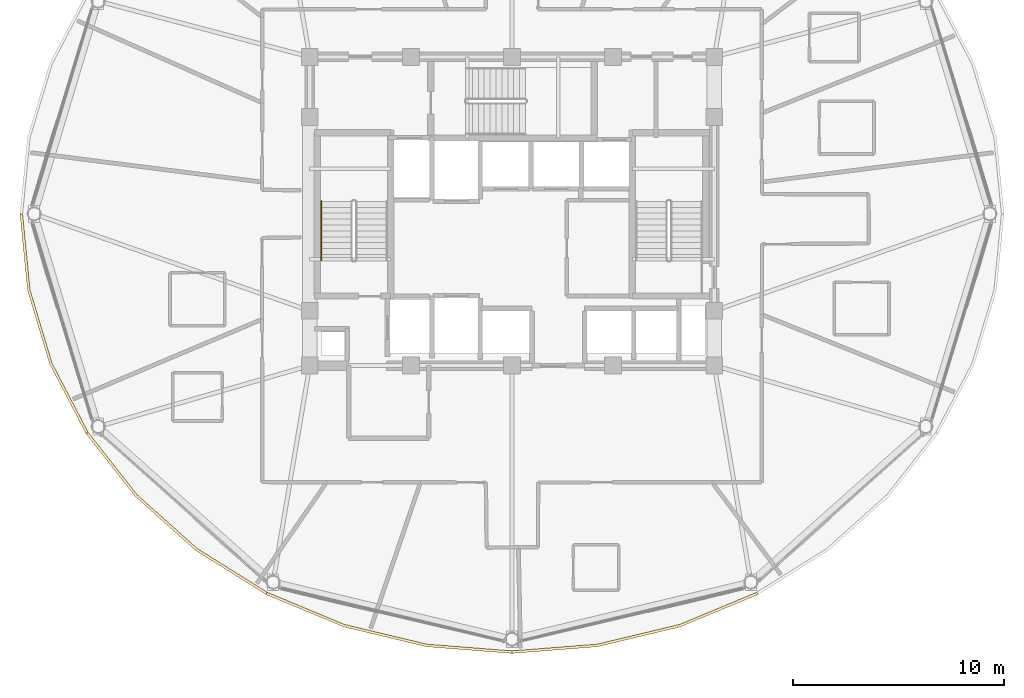
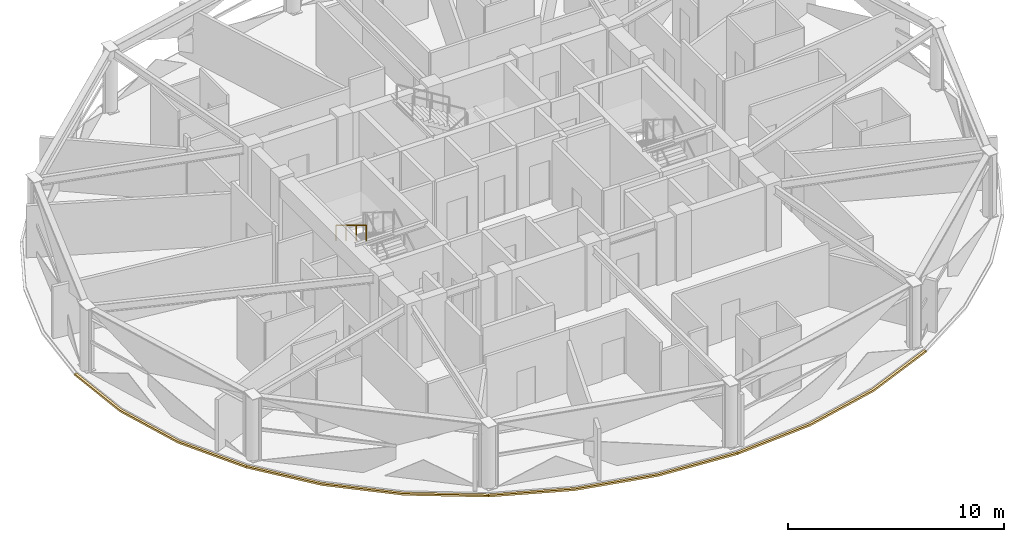
# One storey, part 27 of 30: 4 coverings, 1 railing.
"""IFC4 building model written with IfcOpenShell, lengths in metres."""

from ifc_helpers import new_model, si_unit, direction, frame, origin, origin_2d, place, context, subcontext, project, spatial, polyline, rectangle, outline, extrude, material, layer, layer_set, type_object, element, save


model = new_model("IFC4")

# Units and contexts
model_context = context("Model", 3, precision=1e-05, world=origin(), true_north=direction((0.0, 1.0)))
body_context = subcontext(model_context, "Body", "Model", "MODEL_VIEW")
ifc_project = project(units=[si_unit("LENGTHUNIT", "METRE"), si_unit("AREAUNIT", "SQUARE_METRE"), si_unit("VOLUMEUNIT", "CUBIC_METRE"), si_unit("PLANEANGLEUNIT", "RADIAN"), si_unit("MASSUNIT", "GRAM", prefix="KILO")], contexts=[model_context])

# Site, building, storey
site_placement = place(None, origin())
site = spatial("IfcSite", under=ifc_project, at=site_placement, CompositionType="ELEMENT")
building_placement = place(site_placement, origin())
building = spatial("IfcBuilding", under=site, at=building_placement, Name="Vantalir Tower", CompositionType="ELEMENT")
storey_placement = place(building_placement, frame((0.0, 0.0, 193.64990234375)))
storey = spatial("IfcBuildingStorey", under=building, at=storey_placement, Name="L48", CompositionType="ELEMENT", Elevation=193.64990234375)

# Coverings
ifc_material_1 = material(Name="Anodised champagne aluminium sill fascia", Category="aluminium")
ifc_layer = layer(ifc_material_1, 0.125)
ifc_layer_set = layer_set([ifc_layer], Name="Anodised champagne aluminium sill fascia")
covering_type = type_object("IfcCoveringType", Name="COV-SLAB-FASCIA-125", PredefinedType="CLADDING", material=ifc_layer_set)
covering_1_placement = place(storey_placement, frame((0.0, 0.0, -0.179931640625)))
element("IfcCovering", 1, at=covering_1_placement, inside=storey, type_object=covering_type, Name="L48 Perimeter Slab-Edge Sill Fascia 07", PredefinedType="CLADDING", context=body_context, shape_type="SweptSolid", body=[
    extrude(outline(polyline([(8.14892578125, 25.0), (8.50390625, 21.376953125), (9.556884765625, 17.864013671875), (11.277099609375, 14.568115234375), (11.385986328125, 14.631103515625), (9.675048828125, 17.906982421875), (8.626953125, 21.39892578125), (8.27392578125, 25.0), (8.14892578125, 25.0)])), origin(), (0.0, 0.0, 1.0), 0.10498046875),
])
covering_2_placement = place(storey_placement, frame((0.0, 0.0, -0.179931640625)))
element("IfcCovering", 2, at=covering_2_placement, inside=storey, type_object=covering_type, Name="L48 Perimeter Slab-Edge Sill Fascia 08", PredefinedType="CLADDING", context=body_context, shape_type="SweptSolid", body=[
    extrude(outline(polyline([(11.277099609375, 14.568115234375), (13.612060546875, 11.590087890625), (16.489990234375, 9.01806640625), (19.823974609375, 6.931884765625), (19.886962890625, 7.0400390625), (16.571044921875, 9.114013671875), (13.7080078125, 11.669921875), (11.385986328125, 14.631103515625), (11.277099609375, 14.568115234375)])), origin(), (0.0, 0.0, 1.0), 0.10498046875),
])
covering_3_placement = place(storey_placement, frame((0.0, 0.0, -0.179931640625)))
element("IfcCovering", 3, at=covering_3_placement, inside=storey, type_object=covering_type, Name="L48 Perimeter Slab-Edge Sill Fascia 09", PredefinedType="CLADDING", context=body_context, shape_type="SweptSolid", body=[
    extrude(outline(polyline([(19.823974609375, 6.931884765625), (23.512939453125, 5.39501953125), (27.445068359375, 4.4541015625), (31.5, 4.136962890625), (31.5, 4.261962890625), (27.467041015625, 4.576904296875), (23.555908203125, 5.512939453125), (19.886962890625, 7.0400390625), (19.823974609375, 6.931884765625)])), origin(), (0.0, 0.0, 1.0), 0.10498046875),
])
covering_4_placement = place(storey_placement, frame((0.0, 0.0, -0.179931640625)))
element("IfcCovering", 4, at=covering_4_placement, inside=storey, type_object=covering_type, Name="L48 Perimeter Slab-Edge Sill Fascia 10", PredefinedType="CLADDING", context=body_context, shape_type="SweptSolid", body=[
    extrude(outline(polyline([(31.5, 4.136962890625), (35.554931640625, 4.4541015625), (39.487060546875, 5.39501953125), (43.176025390625, 6.931884765625), (43.113037109375, 7.0400390625), (39.444091796875, 5.512939453125), (35.532958984375, 4.576904296875), (31.5, 4.261962890625), (31.5, 4.136962890625)])), origin(), (0.0, 0.0, 1.0), 0.10498046875),
])

# Railing
ifc_material_2 = material(Name="Brushed stainless steel tubular handrail", Category="steel")
railing_type = type_object("IfcRailingType", Name="RAL-HANDRAIL-900", PredefinedType="HANDRAIL", material=ifc_material_2)
railing_placement = place(storey_placement, frame((22.449951171875, 25.590087890625, 2.045654296875)))
element("IfcRailing", 5, at=railing_placement, inside=storey, type_object=railing_type, Name="L48 ST1 stair handrail 2", PredefinedType="HANDRAIL", context=body_context, shape_type="SweptSolid", body=[
    extrude(rectangle(XDim=0.048095703125, YDim=0.048095703125, at=origin_2d()), frame((0.0, 0.0, 0.8759765625), z_axis=(0.0, -0.854202870247, 0.519939858505), x_axis=(1.0, 0.0, 0.0)), (0.0, 0.0, 1.0), 3.278076171875),
    extrude(rectangle(XDim=0.0419921875, YDim=0.0419921875, at=origin_2d()), origin(), (0.0, 0.0, 1.0), 0.851806640625),
    extrude(rectangle(XDim=0.0419921875, YDim=0.0419921875, at=origin_2d()), frame((0.0, -0.933349609375, 0.568115234375)), (0.0, 0.0, 1.0), 0.851806640625),
    extrude(rectangle(XDim=0.0419921875, YDim=0.0419921875, at=origin_2d()), frame((0.0, -1.86669921875, 1.13623046875)), (0.0, 0.0, 1.0), 0.851806640625),
    extrude(rectangle(XDim=0.0419921875, YDim=0.0419921875, at=origin_2d()), frame((0.0, -2.800048828125, 1.704345703125)), (0.0, 0.0, 1.0), 0.851806640625),
])

save(model, "model.ifc")
